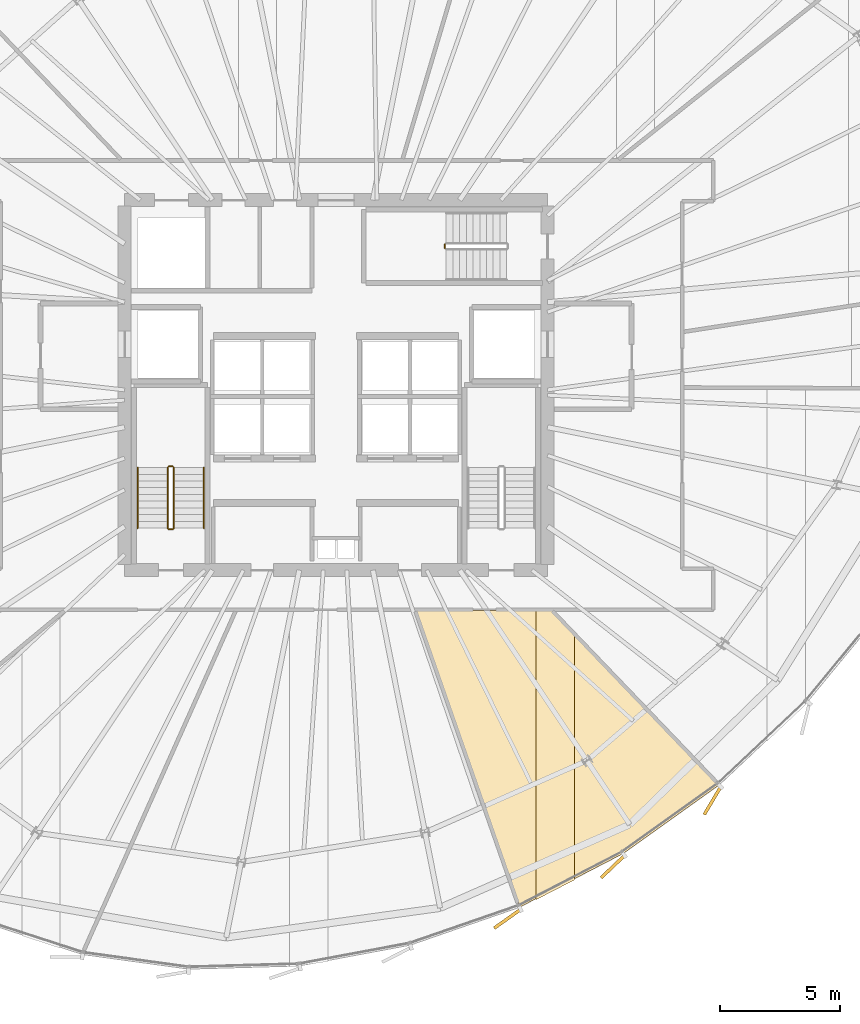
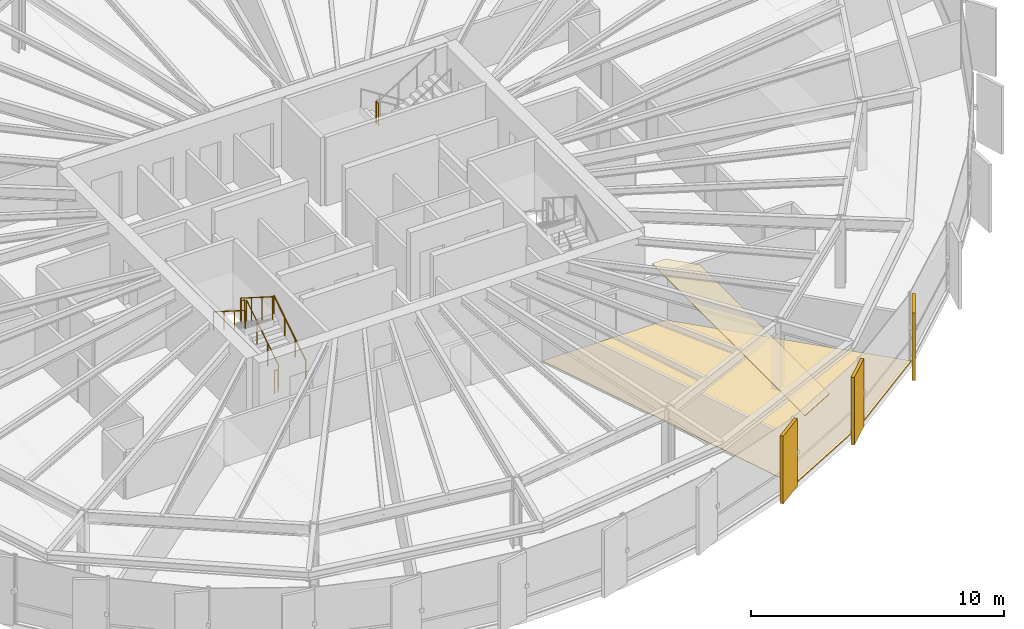
# One storey, part 30 of 32: 7 railings, 5 coverings.
"""IFC4 building model written with IfcOpenShell, lengths in metres."""

from ifc_helpers import new_model, si_unit, direction, frame, origin, origin_2d, place, context, subcontext, project, spatial, polyline, rectangle, circle, outline, extrude, source, transform, mapped, material, layer, layer_set, type_object, element, save


model = new_model("IFC4")

# Units and contexts
model_context = context("Model", 3, precision=1e-05, world=origin(), true_north=direction((0.0, 1.0)))
body_context = subcontext(model_context, "Body", "Model", "MODEL_VIEW")
ifc_project = project(units=[si_unit("LENGTHUNIT", "METRE"), si_unit("AREAUNIT", "SQUARE_METRE"), si_unit("VOLUMEUNIT", "CUBIC_METRE"), si_unit("PLANEANGLEUNIT", "RADIAN"), si_unit("MASSUNIT", "GRAM", prefix="KILO"), si_unit("THERMODYNAMICTEMPERATUREUNIT", "KELVIN")], contexts=[model_context])

# Site, building, storey
site_placement = place(None, origin())
site = spatial("IfcSite", under=ifc_project, at=site_placement, CompositionType="ELEMENT")
building_placement = place(site_placement, origin())
building = spatial("IfcBuilding", under=site, at=building_placement, Name="Kethvar Cultural Tower", CompositionType="ELEMENT")
storey_placement = place(building_placement, frame((0.0, 0.0, 160.75)))
storey = spatial("IfcBuildingStorey", under=building, at=storey_placement, Name="L41", CompositionType="ELEMENT", Elevation=160.75)

# Coverings
ifc_material_1 = material(Name="Acoustic Mineral Fibre Ceiling")
ifc_layer_1 = layer(ifc_material_1, 0.0400390625, Name="Acoustic Mineral Fibre Ceiling")
ifc_layer_set_1 = layer_set([ifc_layer_1], Name="Acoustic Mineral Fibre Ceiling (40 mm)")
covering_type_1 = type_object("IfcCoveringType", Name="CV-ACOUSTIC-CEIL", PredefinedType="CEILING", material=ifc_layer_set_1)
covering_1_placement = place(storey_placement, frame((0.0, 0.0, 2.889892578125)))
element("IfcCovering", 1, at=covering_1_placement, inside=storey, type_object=covering_type_1, Name="L41 Room 03 Acoustic Ceiling Panel", PredefinedType="CEILING", context=body_context, shape_type="SweptSolid", body=[
    extrude(outline(polyline([(55.1298828125, 6.38427734375), (55.1298828125, 18.469970703125), (55.760009765625, 18.469970703125), (56.7197265625, 17.474853515625), (56.7197265625, 7.208251953125), (55.1298828125, 6.38427734375)])), origin(), (0.0, 0.0, 1.0), 0.0400390625),
])
ifc_material_2 = material(Name="Architectural Oak Timber", Category="wood")
ifc_layer_2 = layer(ifc_material_2, 0.02490234375, Name="Architectural Oak Timber", Category="wood")
ifc_layer_set_2 = layer_set([ifc_layer_2], Name="Architectural Oak Timber (25 mm)")
covering_type_2 = type_object("IfcCoveringType", Name="CV-OAK-FLOOR", PredefinedType="FLOORING", material=ifc_layer_set_2)
covering_2_placement = place(storey_placement, origin())
element("IfcCovering", 2, at=covering_2_placement, inside=storey, type_object=covering_type_2, Name="L41 Room 03 Floor Finish", PredefinedType="FLOORING", context=body_context, shape_type="SweptSolid", body=[
    extrude(outline(polyline([(62.725830078125, 11.148193359375), (58.7470703125, 8.30419921875), (54.453857421875, 6.0791015625), (50.11376953125, 18.429931640625), (55.74951171875, 18.429931640625), (62.725830078125, 11.148193359375)])), origin(), (0.0, 0.0, 1.0), 0.02490234375),
])

# Railings
ifc_material_3 = material(Name="Steel S355J2", Category="steel")
railing_type_1 = type_object("IfcRailingType", Name="RL-STAIR-GUARD", PredefinedType="BALUSTRADE", material=ifc_material_3)
railing_1_placement = place(storey_placement, frame((40.050048828125, 21.85009765625, 0.177490234375)))
element("IfcRailing", 3, at=railing_1_placement, inside=storey, type_object=railing_type_1, Name="L41 ST-01 stair guard 1", PredefinedType="BALUSTRADE", context=body_context, shape_type="SweptSolid", body=[
    extrude(circle(Radius=0.02392578125, at=origin_2d()), frame((0.0, 0.0, 1.09619140625), z_axis=(0.0, 0.84460694969, 0.535386869969), x_axis=(-1.0, 0.0, 0.0)), (0.0, 0.0, 1.0), 2.983642578125),
    extrude(circle(Radius=0.02099609375, at=origin_2d()), origin(), (0.0, 0.0, 1.0), 1.072021484375),
    extrude(circle(Radius=0.02099609375, at=origin_2d()), frame((0.0, 0.840087890625, 0.532470703125)), (0.0, 0.0, 1.0), 1.072021484375),
    extrude(circle(Radius=0.02099609375, at=origin_2d()), frame((0.0, 1.679931640625, 1.06494140625)), (0.0, 0.0, 1.0), 1.072021484375),
    extrude(circle(Radius=0.02099609375, at=origin_2d()), frame((0.0, 2.52001953125, 1.597412109375)), (0.0, 0.0, 1.0), 1.072021484375),
])
railing_2_placement = place(storey_placement, frame((40.0, 24.419921875, 1.77490234375)))
element("IfcRailing", 4, at=railing_2_placement, inside=storey, type_object=railing_type_1, Name="L41 ST-01 stair guard 2", PredefinedType="BALUSTRADE", context=body_context, shape_type="SweptSolid", body=[
    extrude(circle(Radius=0.02392578125, at=origin_2d()), frame((0.0, 0.0, 1.09619140625), z_axis=(-1.0, 0.0, 0.0), x_axis=(0.0, -1.0, 0.0)), (0.0, 0.0, 1.0), 0.159912109375),
    extrude(circle(Radius=0.02099609375, at=origin_2d()), origin(), (0.0, 0.0, 1.0), 1.072021484375),
    extrude(circle(Radius=0.02099609375, at=origin_2d()), frame((-0.159912109375, 0.0, 0.0)), (0.0, 0.0, 1.0), 1.072021484375),
])
railing_3_placement = place(storey_placement, frame((39.7900390625, 24.3701171875, 1.952392578125)))
element("IfcRailing", 5, at=railing_3_placement, inside=storey, type_object=railing_type_1, Name="L41 ST-01 stair guard 3", PredefinedType="BALUSTRADE", context=body_context, shape_type="SweptSolid", body=[
    extrude(circle(Radius=0.02392578125, at=origin_2d()), frame((0.0, 0.0, 1.09619140625), z_axis=(0.0, -0.84456994832, 0.535445237532), x_axis=(1.0, 0.0, 0.0)), (0.0, 0.0, 1.0), 2.98388671875),
    extrude(circle(Radius=0.02099609375, at=origin_2d()), origin(), (0.0, 0.0, 1.0), 1.072021484375),
    extrude(circle(Radius=0.02099609375, at=origin_2d()), frame((0.0, -0.840087890625, 0.532470703125)), (0.0, 0.0, 1.0), 1.072021484375),
    extrude(circle(Radius=0.02099609375, at=origin_2d()), frame((0.0, -1.679931640625, 1.065185546875)), (0.0, 0.0, 1.0), 1.072021484375),
    extrude(circle(Radius=0.02099609375, at=origin_2d()), frame((0.0, -2.52001953125, 1.59765625)), (0.0, 0.0, 1.0), 1.072021484375),
])
railing_4_placement = place(storey_placement, frame((40.0, 21.800048828125, 0.0)))
element("IfcRailing", 6, at=railing_4_placement, inside=storey, type_object=railing_type_1, Name="L41 ST-01 stair guard 4", PredefinedType="BALUSTRADE", context=body_context, shape_type="SweptSolid", body=[
    extrude(circle(Radius=0.02392578125, at=origin_2d()), frame((0.0, 0.0, 1.09619140625), z_axis=(-1.0, 0.0, 0.0), x_axis=(0.0, -1.0, 0.0)), (0.0, 0.0, 1.0), 0.159912109375),
    extrude(circle(Radius=0.02099609375, at=origin_2d()), origin(), (0.0, 0.0, 1.0), 1.072021484375),
    extrude(circle(Radius=0.02099609375, at=origin_2d()), frame((-0.159912109375, 0.0, 0.0)), (0.0, 0.0, 1.0), 1.072021484375),
])
railing_5_placement = place(storey_placement, frame((51.330078125, 33.659912109375, 1.77490234375)))
element("IfcRailing", 7, at=railing_5_placement, inside=storey, type_object=railing_type_1, Name="L41 ST-03 stair guard 2", PredefinedType="BALUSTRADE", context=body_context, shape_type="SweptSolid", body=[
    extrude(circle(Radius=0.02392578125, at=origin_2d()), frame((0.0, 0.0, 1.09619140625), z_axis=(0.0, -1.0, 0.0), x_axis=(1.0, 0.0, 0.0)), (0.0, 0.0, 1.0), 0.159912109375),
    extrude(circle(Radius=0.02099609375, at=origin_2d()), origin(), (0.0, 0.0, 1.0), 1.072021484375),
    extrude(circle(Radius=0.02099609375, at=origin_2d()), frame((0.0, -0.159912109375, 0.0)), (0.0, 0.0, 1.0), 1.072021484375),
])
railing_type_2 = type_object("IfcRailingType", Name="RL-STAIR-HANDRAIL", PredefinedType="HANDRAIL", material=ifc_material_3)
railing_6_placement = place(storey_placement, frame((41.300048828125, 21.85009765625, 0.177490234375)))
element("IfcRailing", 8, at=railing_6_placement, inside=storey, type_object=railing_type_2, Name="L41 ST-01 stair handrail 1", PredefinedType="HANDRAIL", context=body_context, shape_type="SweptSolid", body=[
    extrude(circle(Radius=0.02392578125, at=origin_2d()), frame((0.0, 0.0, 0.8759765625), z_axis=(0.0, 0.84460694969, 0.535386869969), x_axis=(-1.0, 0.0, 0.0)), (0.0, 0.0, 1.0), 2.983642578125),
    extrude(circle(Radius=0.02099609375, at=origin_2d()), origin(), (0.0, 0.0, 1.0), 0.851806640625),
    extrude(circle(Radius=0.02099609375, at=origin_2d()), frame((0.0, 0.840087890625, 0.532470703125)), (0.0, 0.0, 1.0), 0.851806640625),
    extrude(circle(Radius=0.02099609375, at=origin_2d()), frame((0.0, 1.679931640625, 1.06494140625)), (0.0, 0.0, 1.0), 0.851806640625),
    extrude(circle(Radius=0.02099609375, at=origin_2d()), frame((0.0, 2.52001953125, 1.597412109375)), (0.0, 0.0, 1.0), 0.851806640625),
])
railing_7_placement = place(storey_placement, frame((38.5400390625, 24.3701171875, 1.952392578125)))
element("IfcRailing", 9, at=railing_7_placement, inside=storey, type_object=railing_type_2, Name="L41 ST-01 stair handrail 2", PredefinedType="HANDRAIL", context=body_context, shape_type="SweptSolid", body=[
    extrude(circle(Radius=0.02392578125, at=origin_2d()), frame((0.0, 0.0, 0.8759765625), z_axis=(0.0, -0.84456994832, 0.535445237532), x_axis=(1.0, 0.0, 0.0)), (0.0, 0.0, 1.0), 2.98388671875),
    extrude(circle(Radius=0.02099609375, at=origin_2d()), origin(), (0.0, 0.0, 1.0), 0.851806640625),
    extrude(circle(Radius=0.02099609375, at=origin_2d()), frame((0.0, -0.840087890625, 0.532470703125)), (0.0, 0.0, 1.0), 0.851806640625),
    extrude(circle(Radius=0.02099609375, at=origin_2d()), frame((0.0, -1.679931640625, 1.065185546875)), (0.0, 0.0, 1.0), 0.851806640625),
    extrude(circle(Radius=0.02099609375, at=origin_2d()), frame((0.0, -2.52001953125, 1.59765625)), (0.0, 0.0, 1.0), 0.851806640625),
])

# Coverings
ifc_material_4 = material(Name="Extruded Architectural Terracotta", Category="masonry")
ifc_layer_3 = layer(ifc_material_4, 0.135009765625, Name="Extruded Architectural Terracotta", Category="masonry")
ifc_layer_set_3 = layer_set([ifc_layer_3], Name="Extruded Architectural Terracotta (135 mm)")
covering_type_3 = type_object("IfcCoveringType", Name="Terracotta Facade Fin FIN-02", PredefinedType="CLADDING", material=ifc_layer_set_3)
shared_shape = source(origin(), body_context, "Body", "SweptSolid", [
    extrude(rectangle(XDim=1.35009765625, YDim=0.135009765625, at=origin_2d()), origin(), (0.0, 0.0, 1.0), 3.260009765625),
])
for number, where, z_axis, x_axis, name in (
    (10, (53.92919921875, 5.588623046875, 0.02001953125), (0.0, 0.0, 1.0), (-0.815127795729, -0.579281172343, 0.0), "L41 Vertical Terracotta Fin 5.3"),
    (11, (58.31494140625, 7.7568359375, 0.02001953125), (0.0, 0.0, 1.0), (-0.724653130187, -0.689113808387, 0.0), "L41 Vertical Terracotta Fin 5.4"),
    (12, (62.466796875, 10.506591796875, 0.02001953125), (0.0, 0.0, 1.0), (-0.510092630351, -0.860119473365, 0.0), "L41 Vertical Terracotta Fin 5.5"),
):
    element("IfcCovering", number, at=place(storey_placement, frame(where, z_axis=z_axis, x_axis=x_axis)), inside=storey, type_object=covering_type_3, Name=name, PredefinedType="CLADDING", context=body_context, shape_type="MappedRepresentation", body=[
        mapped(shared_shape, transform((0.0, 0.0, 0.0), scale=1.0)),
    ])

save(model, "model.ifc")
